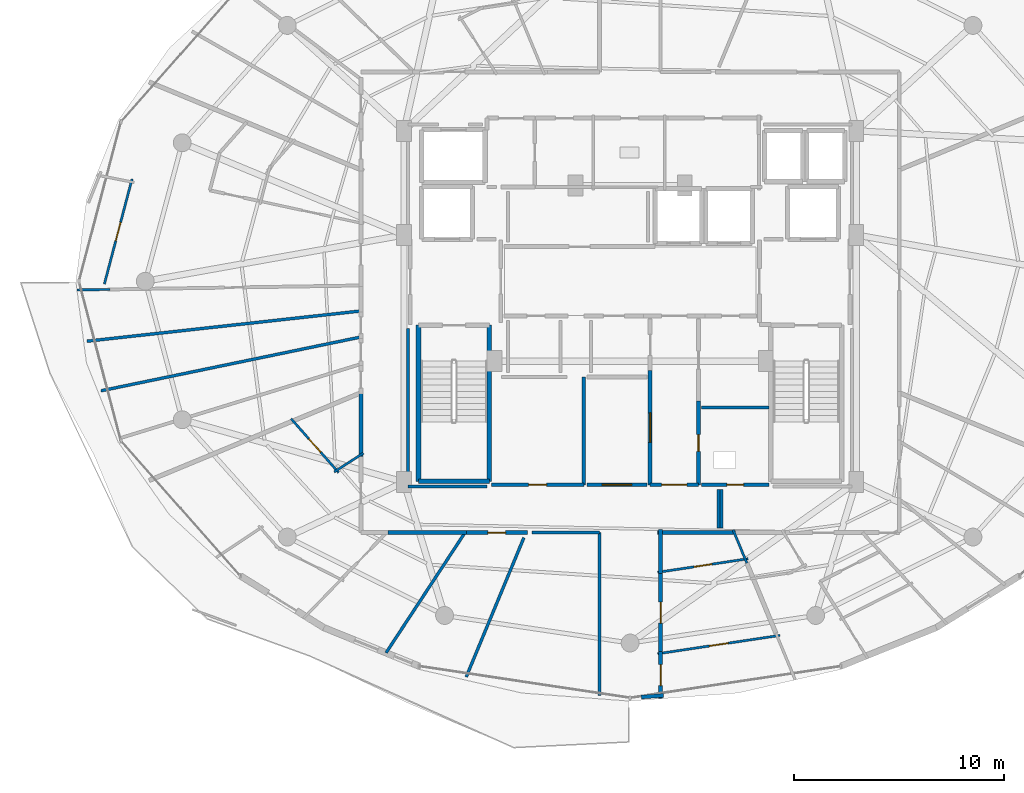
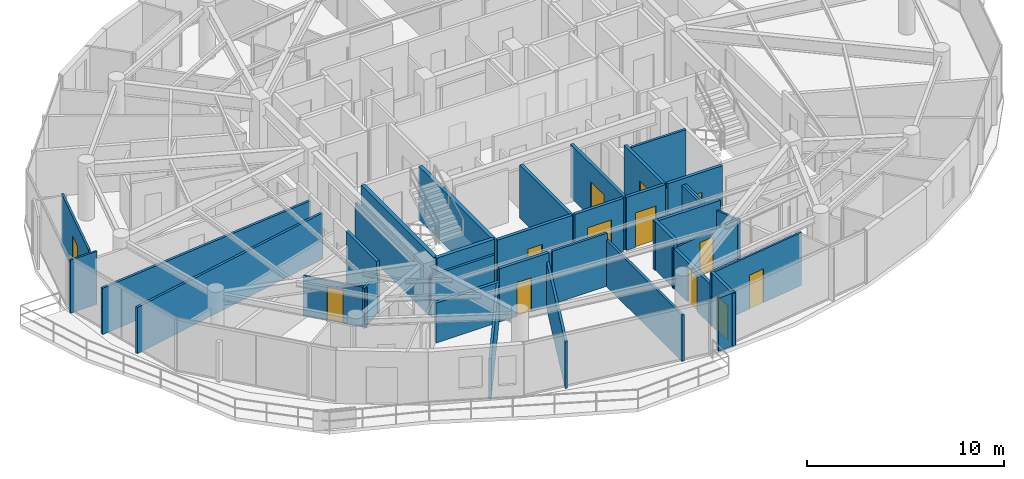
# One storey, part 22 of 30: 36 walls, 13 doors, 13 openings.
"""IFC4 building model written with IfcOpenShell, lengths in metres."""

from ifc_helpers import new_model, si_unit, direction, frame, frame_2d, origin, place, context, subcontext, project, spatial, rectangle, extrude, material, layer, layer_set, type_object, element, fill, save


model = new_model("IFC4")

# Units and contexts
model_context = context("Model", 3, precision=1e-05, world=origin(), true_north=direction((0.0, 1.0)))
body_context = subcontext(model_context, "Body", "Model", "MODEL_VIEW")
ifc_project = project(units=[si_unit("LENGTHUNIT", "METRE"), si_unit("AREAUNIT", "SQUARE_METRE"), si_unit("VOLUMEUNIT", "CUBIC_METRE"), si_unit("PLANEANGLEUNIT", "RADIAN"), si_unit("MASSUNIT", "GRAM", prefix="KILO")], contexts=[model_context])

# Site, building, storey
site_placement = place(None, origin())
site = spatial("IfcSite", under=ifc_project, at=site_placement, CompositionType="ELEMENT")
building_placement = place(site_placement, origin())
building = spatial("IfcBuilding", under=site, at=building_placement, Name="Vorneva Point Tower", CompositionType="ELEMENT")
storey_placement = place(building_placement, frame((0.0, 0.0, 252.0)))
storey = spatial("IfcBuildingStorey", under=building, at=storey_placement, Name="L68", CompositionType="ELEMENT", Elevation=252.0)

# Wall, opening, door
ifc_material_1 = material(Name="Fire-rated acoustic gypsum stud partition", Category="gypsum")
ifc_layer_1 = layer(ifc_material_1, 0.110107421875)
ifc_layer_set_1 = layer_set([ifc_layer_1], Name="Fire-rated acoustic gypsum stud partition")
wall_type_1 = type_object("IfcWallType", Name="WL-PART-110", PredefinedType="PARTITIONING", material=ifc_layer_set_1)
wall_1_placement = place(storey_placement, frame((14.318603515625, 30.8603515625, 0.0), z_axis=(0.0, 0.0, 1.0), x_axis=(-0.254404898477, -0.967097796312, 0.0)))
wall_1 = element("IfcWall", 1, at=wall_1_placement, inside=storey, type_object=wall_type_1, Name="L68 Interior Partition 086", PredefinedType="PARTITIONING", context=body_context, shape_type="SweptSolid", body=[
    extrude(rectangle(XDim=5.165771484375, YDim=0.110107421875, at=frame_2d((2.5830078125, 0.0))), origin(), (0.0, 0.0, 1.0), 3.2900390625),
])
opening_1_placement = place(wall_1_placement, frame((2.1328125, 0.0, 0.0)))
opening_1 = element("IfcOpeningElement", 2, at=opening_1_placement, cuts=wall_1, Name="Opening ID-01", PredefinedType="OPENING", context=body_context, shape_type="SweptSolid", body=[
    extrude(rectangle(XDim=0.89990234375, YDim=2.10009765625, at=frame_2d((0.449951171875, 1.050048828125))), frame((0.0, 0.06982421875, 0.0), z_axis=(0.0, -1.0, 0.0), x_axis=(1.0, 0.0, 0.0)), (0.0, 0.0, 1.0), 0.139892578125),
])
ifc_material_2 = material(Name="Engineered oak fire-rated door leaf", Category="wood")
door_type_1 = type_object("IfcDoorType", Name="DR-ROOM-900", OperationType="NOTDEFINED", PredefinedType="DOOR", material=ifc_material_2)
door_1_placement = place(opening_1_placement, origin())
door_1 = element("IfcDoor", 3, at=door_1_placement, inside=storey, type_object=door_type_1, Name="L68 Door Living and Dining Room L68-02 / Kitchen L68-02", OperationType="SINGLE_SWING_LEFT", OverallHeight=2.10009765625, OverallWidth=0.89990234375, PredefinedType="DOOR", context=body_context, shape_type="SweptSolid", body=[
    extrude(rectangle(XDim=0.89990234375, YDim=2.10009765625, at=frame_2d((0.449951171875, 1.050048828125))), frame((0.0, 0.02490234375, 0.0), z_axis=(0.0, -1.0, 0.0), x_axis=(1.0, 0.0, 0.0)), (0.0, 0.0, 1.0), 0.050048828125),
])
fill(opening_1, door_1)

# Walls
wall_2_placement = place(storey_placement, frame((11.714111328125, 25.5869140625, 0.0), z_axis=(0.0, 0.0, 1.0), x_axis=(0.9998813462, 0.015404334465, 0.0)))
element("IfcWall", 4, at=wall_2_placement, inside=storey, type_object=wall_type_1, Name="L68 Interior Partition 093", PredefinedType="PARTITIONING", context=body_context, shape_type="SweptSolid", body=[
    extrude(rectangle(XDim=1.569091796875, YDim=0.110107421875, at=frame_2d((0.78466796875, 0.0))), origin(), (0.0, 0.0, 1.0), 3.2900390625),
])
wall_3_placement = place(storey_placement, frame((25.317626953125, 17.827880859375, 0.0), z_axis=(0.0, 0.0, 1.0), x_axis=(-0.840783734709, -0.541371140207, 0.0)))
element("IfcWall", 5, at=wall_3_placement, inside=storey, type_object=wall_type_1, Name="L68 Interior Partition 098", PredefinedType="PARTITIONING", context=body_context, shape_type="SweptSolid", body=[
    extrude(rectangle(XDim=1.648681640625, YDim=0.110107421875, at=frame_2d((0.82421875, 0.0))), origin(), (0.0, 0.0, 1.0), 2.48193359375),
])

# Wall, opening, door
wall_4_placement = place(storey_placement, frame((24.1416015625, 16.906005859375, 0.0), z_axis=(0.0, 0.0, 1.0), x_axis=(-0.662044708061, 0.749464345068, 0.0)))
wall_4 = element("IfcWall", 6, at=wall_4_placement, inside=storey, type_object=wall_type_1, Name="L68 Interior Partition 099", PredefinedType="PARTITIONING", context=body_context, shape_type="SweptSolid", body=[
    extrude(rectangle(XDim=3.41552734375, YDim=0.110107421875, at=frame_2d((1.707763671875, 0.0))), origin(), (0.0, 0.0, 1.0), 2.48193359375),
])
opening_2_placement = place(wall_4_placement, frame((1.28271484375, 0.0, 0.0)))
opening_2 = element("IfcOpeningElement", 7, at=opening_2_placement, cuts=wall_4, Name="Opening ID-02", PredefinedType="OPENING", context=body_context, shape_type="SweptSolid", body=[
    extrude(rectangle(XDim=0.85009765625, YDim=2.10009765625, at=frame_2d((0.425048828125, 1.050048828125))), frame((0.0, 0.06982421875, 0.0), z_axis=(0.0, -1.0, 0.0), x_axis=(1.0, 0.0, 0.0)), (0.0, 0.0, 1.0), 0.139892578125),
])
door_type_2 = type_object("IfcDoorType", Name="DR-BATH-850", OperationType="NOTDEFINED", PredefinedType="DOOR", material=ifc_material_2)
door_2_placement = place(opening_2_placement, origin())
door_2 = element("IfcDoor", 8, at=door_2_placement, inside=storey, type_object=door_type_2, Name="L68 Door Living and Dining Room L68-03 / Bathroom L68-03", OperationType="SINGLE_SWING_RIGHT", OverallHeight=2.10009765625, OverallWidth=0.85009765625, PredefinedType="DOOR", context=body_context, shape_type="SweptSolid", body=[
    extrude(rectangle(XDim=0.85009765625, YDim=2.10009765625, at=frame_2d((0.425048828125, 1.050048828125))), frame((0.0, 0.02490234375, 0.0), z_axis=(0.0, -1.0, 0.0), x_axis=(1.0, 0.0, 0.0)), (0.0, 0.0, 1.0), 0.050048828125),
])
fill(opening_2, door_2)

# Wall
wall_5_placement = place(storey_placement, frame((43.549560546875, 12.602783203125, 0.0), z_axis=(0.0, 0.0, 1.0), x_axis=(-0.382735094105, 0.923858131826, 0.0)))
element("IfcWall", 9, at=wall_5_placement, inside=storey, type_object=wall_type_1, Name="L68 Interior Partition 106", PredefinedType="PARTITIONING", context=body_context, shape_type="SweptSolid", body=[
    extrude(rectangle(XDim=1.706298828125, YDim=0.110107421875, at=frame_2d((0.85302734375, 0.0))), origin(), (0.0, 0.0, 1.0), 2.48193359375),
])

# Wall, opening, door
wall_6_placement = place(storey_placement, frame((43.611328125, 12.807861328125, 0.0), z_axis=(0.0, 0.0, 1.0), x_axis=(-0.988876968465, -0.148735810213, 0.0)))
wall_6 = element("IfcWall", 10, at=wall_6_placement, inside=storey, type_object=wall_type_1, Name="L68 Interior Partition 107", PredefinedType="PARTITIONING", context=body_context, shape_type="SweptSolid", body=[
    extrude(rectangle(XDim=4.34814453125, YDim=0.110107421875, at=frame_2d((2.174072265625, 0.0))), origin(), (0.0, 0.0, 1.0), 2.48193359375),
])
opening_3_placement = place(wall_6_placement, frame((1.7490234375, 0.0, 0.0)))
opening_3 = element("IfcOpeningElement", 11, at=opening_3_placement, cuts=wall_6, Name="Opening ID-02", PredefinedType="OPENING", context=body_context, shape_type="SweptSolid", body=[
    extrude(rectangle(XDim=0.85009765625, YDim=2.10009765625, at=frame_2d((0.425048828125, 1.050048828125))), frame((0.0, 0.06982421875, 0.0), z_axis=(0.0, -1.0, 0.0), x_axis=(1.0, 0.0, 0.0)), (0.0, 0.0, 1.0), 0.139892578125),
])
door_3_placement = place(opening_3_placement, origin())
door_3 = element("IfcDoor", 12, at=door_3_placement, inside=storey, type_object=door_type_2, Name="L68 Door Studio Apartment L68-04 / Bathroom L68-04", OperationType="SINGLE_SWING_LEFT", OverallHeight=2.10009765625, OverallWidth=0.85009765625, PredefinedType="DOOR", context=body_context, shape_type="SweptSolid", body=[
    extrude(rectangle(XDim=0.85009765625, YDim=2.10009765625, at=frame_2d((0.425048828125, 1.050048828125))), frame((0.0, 0.02490234375, 0.0), z_axis=(0.0, -1.0, 0.0), x_axis=(1.0, 0.0, 0.0)), (0.0, 0.0, 1.0), 0.050048828125),
])
fill(opening_3, door_3)

wall_7_placement = place(storey_placement, frame((39.3115234375, 8.289306640625, 0.0), z_axis=(0.0, 0.0, 1.0), x_axis=(0.988884781275, 0.1486838571, 0.0)))
wall_7 = element("IfcWall", 13, at=wall_7_placement, inside=storey, type_object=wall_type_1, Name="L68 Interior Partition 109", PredefinedType="PARTITIONING", context=body_context, shape_type="SweptSolid", body=[
    extrude(rectangle(XDim=5.875, YDim=0.110107421875, at=frame_2d((2.9375, 0.0))), origin(), (0.0, 0.0, 1.0), 3.2900390625),
])
opening_4_placement = place(wall_7_placement, frame((2.487548828125, 0.0, 0.0)))
opening_4 = element("IfcOpeningElement", 14, at=opening_4_placement, cuts=wall_7, Name="Opening ID-01", PredefinedType="OPENING", context=body_context, shape_type="SweptSolid", body=[
    extrude(rectangle(XDim=0.89990234375, YDim=2.10009765625, at=frame_2d((0.449951171875, 1.050048828125))), frame((0.0, 0.06982421875, 0.0), z_axis=(0.0, -1.0, 0.0), x_axis=(1.0, 0.0, 0.0)), (0.0, 0.0, 1.0), 0.139892578125),
])
door_4_placement = place(opening_4_placement, origin())
door_4 = element("IfcDoor", 15, at=door_4_placement, inside=storey, type_object=door_type_1, Name="L68 Door Studio Apartment L68-04 / Kitchen L68-04", OperationType="SINGLE_SWING_RIGHT", OverallHeight=2.10009765625, OverallWidth=0.89990234375, PredefinedType="DOOR", context=body_context, shape_type="SweptSolid", body=[
    extrude(rectangle(XDim=0.89990234375, YDim=2.10009765625, at=frame_2d((0.449951171875, 1.050048828125))), frame((0.0, 0.02490234375, 0.0), z_axis=(0.0, -1.0, 0.0), x_axis=(1.0, 0.0, 0.0)), (0.0, 0.0, 1.0), 0.050048828125),
])
fill(opening_4, door_4)

# Walls
ifc_layer_2 = layer(ifc_material_1, 0.139892578125)
ifc_layer_set_2 = layer_set([ifc_layer_2], Name="Fire-rated acoustic gypsum stud partition")
wall_type_2 = type_object("IfcWallType", Name="WL-PART-140", PredefinedType="PARTITIONING", material=ifc_layer_set_2)
wall_8_placement = place(storey_placement, frame((44.60009765625, 20.0, 0.0), z_axis=(0.0, 0.0, 1.0), x_axis=(-1.0, 0.0, 0.0)))
element("IfcWall", 16, at=wall_8_placement, inside=storey, type_object=wall_type_2, Name="L68 Interior Partition 020", PredefinedType="PARTITIONING", context=body_context, shape_type="SweptSolid", body=[
    extrude(rectangle(XDim=3.2001953125, YDim=0.139892578125, at=frame_2d((1.60009765625, 0.0))), origin(), (0.0, 0.0, 1.0), 3.2900390625),
])
wall_9_placement = place(storey_placement, frame((12.172119140625, 23.14892578125, 0.0), z_axis=(0.0, 0.0, 1.0), x_axis=(0.993963433103, 0.109711866515, 0.0)))
element("IfcWall", 17, at=wall_9_placement, inside=storey, type_object=wall_type_2, Name="L68 Interior Partition 094", PredefinedType="PARTITIONING", context=body_context, shape_type="SweptSolid", body=[
    extrude(rectangle(XDim=13.10693359375, YDim=0.139892578125, at=frame_2d((6.553466796875, 0.0))), origin(), (0.0, 0.0, 1.0), 2.8740234375),
])
wall_10_placement = place(storey_placement, frame((12.844970703125, 20.791015625, 0.0), z_axis=(0.0, 0.0, 1.0), x_axis=(0.97923049011, 0.202750208975, 0.0)))
element("IfcWall", 18, at=wall_10_placement, inside=storey, type_object=wall_type_2, Name="L68 Interior Partition 095", PredefinedType="PARTITIONING", context=body_context, shape_type="SweptSolid", body=[
    extrude(rectangle(XDim=12.616943359375, YDim=0.139892578125, at=frame_2d((6.30859375, 0.0))), origin(), (0.0, 0.0, 1.0), 2.8740234375),
])
wall_11_placement = place(storey_placement, frame((26.39697265625, 8.3359375, 0.0), z_axis=(0.0, 0.0, 1.0), x_axis=(0.548967647923, 0.835843598728, 0.0)))
element("IfcWall", 19, at=wall_11_placement, inside=storey, type_object=wall_type_2, Name="L68 Interior Partition 105", PredefinedType="PARTITIONING", context=body_context, shape_type="SweptSolid", body=[
    extrude(rectangle(XDim=6.83642578125, YDim=0.139892578125, at=frame_2d((3.418212890625, 0.0))), origin(), (0.0, 0.0, 1.0), 2.48193359375),
])
wall_12_placement = place(storey_placement, frame((33.330078125, 14.050048828125, 0.0), z_axis=(0.0, 0.0, 1.0), x_axis=(1.0, 0.0, 0.0)))
element("IfcWall", 20, at=wall_12_placement, inside=storey, type_object=wall_type_2, Name="L68 Interior Closure Partition 135", PredefinedType="PARTITIONING", context=body_context, shape_type="SweptSolid", body=[
    extrude(rectangle(XDim=3.219970703125, YDim=0.139892578125, at=frame_2d((1.60986328125, 0.0))), origin(), (0.0, 0.0, 1.0), 3.2900390625),
])
wall_13_placement = place(storey_placement, frame((36.550048828125, 14.050048828125, 0.0), z_axis=(0.0, 0.0, 1.0), x_axis=(0.0, -1.0, 0.0)))
element("IfcWall", 21, at=wall_13_placement, inside=storey, type_object=wall_type_2, Name="L68 Interior Closure Partition 136", PredefinedType="PARTITIONING", context=body_context, shape_type="SweptSolid", body=[
    extrude(rectangle(XDim=7.7509765625, YDim=0.139892578125, at=frame_2d((3.87548828125, 0.0))), origin(), (0.0, 0.0, 1.0), 2.8740234375),
])
wall_14_placement = place(storey_placement, frame((42.340087890625, 14.27001953125, 0.0), z_axis=(0.0, 0.0, 1.0), x_axis=(0.0, 1.0, 0.0)))
element("IfcWall", 22, at=wall_14_placement, inside=storey, type_object=wall_type_2, Name="L68 Interior Closure Partition 139", PredefinedType="PARTITIONING", context=body_context, shape_type="SweptSolid", body=[
    extrude(rectangle(XDim=1.830078125, YDim=0.139892578125, at=frame_2d((0.9150390625, 0.0))), origin(), (0.0, 0.0, 1.0), 3.02197265625),
])
wall_15_placement = place(storey_placement, frame((27.449951171875, 23.75390625, 0.0), z_axis=(0.0, 0.0, 1.0), x_axis=(0.0, -1.0, 0.0)))
element("IfcWall", 23, at=wall_15_placement, inside=storey, type_object=wall_type_2, Name="L68 Interior Closure Partition 147", PredefinedType="PARTITIONING", context=body_context, shape_type="SweptSolid", body=[
    extrude(rectangle(XDim=7.513916015625, YDim=0.139892578125, at=frame_2d((3.7568359375, 0.0))), origin(), (0.0, 0.0, 1.0), 2.48193359375),
])
wall_16_placement = place(storey_placement, frame((27.449951171875, 16.239990234375, 0.0), z_axis=(0.0, 0.0, 1.0), x_axis=(1.0, 0.0, 0.0)))
element("IfcWall", 24, at=wall_16_placement, inside=storey, type_object=wall_type_2, Name="L68 Interior Closure Partition 148", PredefinedType="PARTITIONING", context=body_context, shape_type="SweptSolid", body=[
    extrude(rectangle(XDim=3.7451171875, YDim=0.139892578125, at=frame_2d((1.87255859375, 0.0))), origin(), (0.0, 0.0, 1.0), 2.48193359375),
])
wall_17_placement = place(storey_placement, frame((42.199951171875, 16.10009765625, 0.0), z_axis=(0.0, 0.0, 1.0), x_axis=(0.0, -1.0, 0.0)))
element("IfcWall", 25, at=wall_17_placement, inside=storey, type_object=wall_type_2, Name="L68 Interior Closure Partition 149", PredefinedType="PARTITIONING", context=body_context, shape_type="SweptSolid", body=[
    extrude(rectangle(XDim=1.830078125, YDim=0.139892578125, at=frame_2d((0.9150390625, 0.0))), origin(), (0.0, 0.0, 1.0), 3.02197265625),
])
wall_18_placement = place(storey_placement, frame((30.20703125, 7.18701171875, 0.0), z_axis=(0.0, 0.0, 1.0), x_axis=(0.382679691634, 0.923881081964, 0.0)))
element("IfcWall", 26, at=wall_18_placement, inside=storey, type_object=wall_type_2, Name="L68 Interior Closure Partition 150", PredefinedType="PARTITIONING", context=body_context, shape_type="SweptSolid", body=[
    extrude(rectangle(XDim=7.167724609375, YDim=0.139892578125, at=frame_2d((3.583984375, 0.0))), origin(), (0.0, 0.0, 1.0), 2.8740234375),
])

# Wall, opening, door
ifc_material_3 = material(Name="Autoclaved aerated concrete blockwork", Category="masonry")
ifc_layer_3 = layer(ifc_material_3, 0.179931640625)
ifc_layer_set_3 = layer_set([ifc_layer_3], Name="Autoclaved aerated concrete blockwork")
wall_type_3 = type_object("IfcWallType", Name="WL-PART-180", PredefinedType="PARTITIONING", material=ifc_layer_set_3)
wall_19_placement = place(storey_placement, frame((41.25, 16.320068359375, 0.0), z_axis=(0.0, 0.0, 1.0), x_axis=(0.0, 1.0, 0.0)))
wall_19 = element("IfcWall", 27, at=wall_19_placement, inside=storey, type_object=wall_type_3, Name="L68 Interior Partition 015", PredefinedType="PARTITIONING", context=body_context, shape_type="SweptSolid", body=[
    extrude(rectangle(XDim=3.98486328125, YDim=0.179931640625, at=frame_2d((1.992431640625, 0.0))), origin(), (0.0, 0.0, 1.0), 3.2900390625),
])
opening_5_placement = place(wall_19_placement, frame((1.592529296875, 0.0, 0.0)))
opening_5 = element("IfcOpeningElement", 28, at=opening_5_placement, cuts=wall_19, Name="Opening RD-01", PredefinedType="OPENING", context=body_context, shape_type="SweptSolid", body=[
    extrude(rectangle(XDim=0.800048828125, YDim=2.050048828125, at=frame_2d((0.39990234375, 1.02490234375))), frame((0.0, 0.10498046875, 0.0), z_axis=(0.0, -1.0, 0.0), x_axis=(1.0, 0.0, 0.0)), (0.0, 0.0, 1.0), 0.209716796875),
])
ifc_material_4 = material(Name="Fire-rated powder-coated steel", Category="steel")
door_type_3 = type_object("IfcDoorType", Name="DR-RSR-800", OperationType="SINGLE_SWING_LEFT", PredefinedType="DOOR", material=ifc_material_4)
door_5_placement = place(opening_5_placement, origin())
door_5 = element("IfcDoor", 29, at=door_5_placement, inside=storey, type_object=door_type_3, Name="L68 Door Core Service Lobby / Electrical Riser", OperationType="SINGLE_SWING_RIGHT", OverallHeight=2.050048828125, OverallWidth=0.800048828125, PredefinedType="DOOR", context=body_context, shape_type="SweptSolid", body=[
    extrude(rectangle(XDim=0.800048828125, YDim=2.050048828125, at=frame_2d((0.39990234375, 1.02490234375))), frame((0.0, 0.02490234375, 0.0), z_axis=(0.0, -1.0, 0.0), x_axis=(1.0, 0.0, 0.0)), (0.0, 0.0, 1.0), 0.050048828125),
])
fill(opening_5, door_5)

wall_20_placement = place(storey_placement, frame((38.949951171875, 21.7548828125, 0.0), z_axis=(0.0, 0.0, 1.0), x_axis=(0.0, -1.0, 0.0)))
wall_20 = element("IfcWall", 30, at=wall_20_placement, inside=storey, type_object=wall_type_3, Name="L68 Interior Partition 017", PredefinedType="PARTITIONING", context=body_context, shape_type="SweptSolid", body=[
    extrude(rectangle(XDim=5.434814453125, YDim=0.179931640625, at=frame_2d((2.71728515625, 0.0))), origin(), (0.0, 0.0, 1.0), 3.2900390625),
])
opening_6_placement = place(wall_20_placement, frame((2.017578125, 0.0, 0.0)))
opening_6 = element("IfcOpeningElement", 31, at=opening_6_placement, cuts=wall_20, Name="Opening FD-03", PredefinedType="OPENING", context=body_context, shape_type="SweptSolid", body=[
    extrude(rectangle(XDim=1.39990234375, YDim=2.199951171875, at=frame_2d((0.699951171875, 1.10009765625))), frame((0.0, 0.10498046875, 0.0), z_axis=(0.0, -1.0, 0.0), x_axis=(1.0, 0.0, 0.0)), (0.0, 0.0, 1.0), 0.209716796875),
])
door_type_4 = type_object("IfcDoorType", Name="DR-PLT-1400", OperationType="DOUBLE_SWING_LEFT", PredefinedType="DOOR", material=ifc_material_4)
door_6_placement = place(opening_6_placement, origin())
door_6 = element("IfcDoor", 32, at=door_6_placement, inside=storey, type_object=door_type_4, Name="L68 Door Core Service Lobby / Telecoms and Data Room", OperationType="DOUBLE_SWING_LEFT", OverallHeight=2.199951171875, OverallWidth=1.39990234375, PredefinedType="DOOR", context=body_context, shape_type="SweptSolid", body=[
    extrude(rectangle(XDim=1.39990234375, YDim=2.199951171875, at=frame_2d((0.699951171875, 1.10009765625))), frame((0.0, 0.02490234375, 0.0), z_axis=(0.0, -1.0, 0.0), x_axis=(1.0, 0.0, 0.0)), (0.0, 0.0, 1.0), 0.050048828125),
])
fill(opening_6, door_6)

wall_21_placement = place(storey_placement, frame((38.949951171875, 16.320068359375, 0.0), z_axis=(0.0, 0.0, 1.0), x_axis=(1.0, 0.0, 0.0)))
wall_21 = element("IfcWall", 33, at=wall_21_placement, inside=storey, type_object=wall_type_3, Name="L68 Interior Partition 019", PredefinedType="PARTITIONING", context=body_context, shape_type="SweptSolid", body=[
    extrude(rectangle(XDim=2.300048828125, YDim=0.179931640625, at=frame_2d((1.14990234375, 0.0))), origin(), (0.0, 0.0, 1.0), 3.2900390625),
])
opening_7_placement = place(wall_21_placement, frame((0.550048828125, 0.0, 0.0)))
opening_7 = element("IfcOpeningElement", 34, at=opening_7_placement, cuts=wall_21, Name="Opening FD-02", PredefinedType="OPENING", context=body_context, shape_type="SweptSolid", body=[
    extrude(rectangle(XDim=1.199951171875, YDim=2.14990234375, at=frame_2d((0.60009765625, 1.074951171875))), frame((0.0, 0.10498046875, 0.0), z_axis=(0.0, -1.0, 0.0), x_axis=(1.0, 0.0, 0.0)), (0.0, 0.0, 1.0), 0.209716796875),
])
door_type_5 = type_object("IfcDoorType", Name="DR-FFL-1200", OperationType="NOTDEFINED", PredefinedType="DOOR", material=ifc_material_4)
door_7_placement = place(opening_7_placement, origin())
door_7 = element("IfcDoor", 35, at=door_7_placement, inside=storey, type_object=door_type_5, Name="L68 Door Core Service Lobby / L68 Circulation Corridor", OperationType="SINGLE_SWING_RIGHT", OverallHeight=2.14990234375, OverallWidth=1.199951171875, PredefinedType="DOOR", context=body_context, shape_type="SweptSolid", body=[
    extrude(rectangle(XDim=1.199951171875, YDim=2.14990234375, at=frame_2d((0.60009765625, 1.074951171875))), frame((0.0, 0.02490234375, 0.0), z_axis=(0.0, -1.0, 0.0), x_axis=(1.0, 0.0, 0.0)), (0.0, 0.0, 1.0), 0.050048828125),
])
fill(opening_7, door_7)

wall_22_placement = place(storey_placement, frame((41.39990234375, 16.320068359375, 0.0), z_axis=(0.0, 0.0, 1.0), x_axis=(1.0, 0.0, 0.0)))
wall_22 = element("IfcWall", 36, at=wall_22_placement, inside=storey, type_object=wall_type_3, Name="L68 Interior Partition 021", PredefinedType="PARTITIONING", context=body_context, shape_type="SweptSolid", body=[
    extrude(rectangle(XDim=3.2001953125, YDim=0.179931640625, at=frame_2d((1.60009765625, 0.0))), origin(), (0.0, 0.0, 1.0), 3.2900390625),
])
opening_8_placement = place(wall_22_placement, frame((1.199951171875, 0.0, 0.0)))
opening_8 = element("IfcOpeningElement", 37, at=opening_8_placement, cuts=wall_22, Name="Opening RD-01", PredefinedType="OPENING", context=body_context, shape_type="SweptSolid", body=[
    extrude(rectangle(XDim=0.800048828125, YDim=2.050048828125, at=frame_2d((0.39990234375, 1.02490234375))), frame((0.0, 0.10498046875, 0.0), z_axis=(0.0, -1.0, 0.0), x_axis=(1.0, 0.0, 0.0)), (0.0, 0.0, 1.0), 0.209716796875),
])
door_8_placement = place(opening_8_placement, origin())
door_8 = element("IfcDoor", 38, at=door_8_placement, inside=storey, type_object=door_type_3, Name="L68 Door Electrical Riser / L68 Circulation Corridor", OperationType="SINGLE_SWING_LEFT", OverallHeight=2.050048828125, OverallWidth=0.800048828125, PredefinedType="DOOR", context=body_context, shape_type="SweptSolid", body=[
    extrude(rectangle(XDim=0.800048828125, YDim=2.050048828125, at=frame_2d((0.39990234375, 1.02490234375))), frame((0.0, 0.02490234375, 0.0), z_axis=(0.0, -1.0, 0.0), x_axis=(1.0, 0.0, 0.0)), (0.0, 0.0, 1.0), 0.050048828125),
])
fill(opening_8, door_8)

# Wall
wall_23_placement = place(storey_placement, frame((35.800048828125, 16.320068359375, 0.0), z_axis=(0.0, 0.0, 1.0), x_axis=(0.0, 1.0, 0.0)))
element("IfcWall", 39, at=wall_23_placement, inside=storey, type_object=wall_type_3, Name="L68 Interior Partition 030", PredefinedType="PARTITIONING", context=body_context, shape_type="SweptSolid", body=[
    extrude(rectangle(XDim=5.1298828125, YDim=0.179931640625, at=frame_2d((2.56494140625, 0.0))), origin(), (0.0, 0.0, 1.0), 3.2900390625),
])

# Wall, opening, door
wall_24_placement = place(storey_placement, frame((31.39990234375, 16.320068359375, 0.0), z_axis=(0.0, 0.0, 1.0), x_axis=(1.0, 0.0, 0.0)))
wall_24 = element("IfcWall", 40, at=wall_24_placement, inside=storey, type_object=wall_type_3, Name="L68 Interior Partition 032", PredefinedType="PARTITIONING", context=body_context, shape_type="SweptSolid", body=[
    extrude(rectangle(XDim=4.400146484375, YDim=0.179931640625, at=frame_2d((2.2001953125, 0.0))), origin(), (0.0, 0.0, 1.0), 3.2900390625),
])
opening_9_placement = place(wall_24_placement, frame((1.77490234375, 0.0, 0.0)))
opening_9 = element("IfcOpeningElement", 41, at=opening_9_placement, cuts=wall_24, Name="Opening ID-02", PredefinedType="OPENING", context=body_context, shape_type="SweptSolid", body=[
    extrude(rectangle(XDim=0.85009765625, YDim=2.10009765625, at=frame_2d((0.425048828125, 1.050048828125))), frame((0.0, 0.10498046875, 0.0), z_axis=(0.0, -1.0, 0.0), x_axis=(1.0, 0.0, 0.0)), (0.0, 0.0, 1.0), 0.209716796875),
])
door_9_placement = place(opening_9_placement, origin())
door_9 = element("IfcDoor", 42, at=door_9_placement, inside=storey, type_object=door_type_2, Name="L68 Door Bicycle Gear Store / L68 Circulation Corridor", OperationType="SINGLE_SWING_LEFT", OverallHeight=2.10009765625, OverallWidth=0.85009765625, PredefinedType="DOOR", context=body_context, shape_type="SweptSolid", body=[
    extrude(rectangle(XDim=0.85009765625, YDim=2.10009765625, at=frame_2d((0.425048828125, 1.050048828125))), frame((0.0, 0.02490234375, 0.0), z_axis=(0.0, -1.0, 0.0), x_axis=(1.0, 0.0, 0.0)), (0.0, 0.0, 1.0), 0.050048828125),
])
fill(opening_9, door_9)

wall_25_placement = place(storey_placement, frame((35.949951171875, 16.320068359375, 0.0), z_axis=(0.0, 0.0, 1.0), x_axis=(1.0, 0.0, 0.0)))
wall_25 = element("IfcWall", 43, at=wall_25_placement, inside=storey, type_object=wall_type_3, Name="L68 Interior Partition 034", PredefinedType="PARTITIONING", context=body_context, shape_type="SweptSolid", body=[
    extrude(rectangle(XDim=2.85009765625, YDim=0.179931640625, at=frame_2d((1.425048828125, 0.0))), origin(), (0.0, 0.0, 1.0), 3.2900390625),
])
opening_10_placement = place(wall_25_placement, frame((0.72509765625, 0.0, 0.0)))
opening_10 = element("IfcOpeningElement", 44, at=opening_10_placement, cuts=wall_25, Name="Opening FD-03", PredefinedType="OPENING", context=body_context, shape_type="SweptSolid", body=[
    extrude(rectangle(XDim=1.39990234375, YDim=2.199951171875, at=frame_2d((0.699951171875, 1.10009765625))), frame((0.0, 0.10498046875, 0.0), z_axis=(0.0, -1.0, 0.0), x_axis=(1.0, 0.0, 0.0)), (0.0, 0.0, 1.0), 0.209716796875),
])
door_10_placement = place(opening_10_placement, origin())
door_10 = element("IfcDoor", 45, at=door_10_placement, inside=storey, type_object=door_type_4, Name="L68 Door Telecoms and Data Room / L68 Circulation Corridor", OperationType="DOUBLE_SWING_LEFT", OverallHeight=2.199951171875, OverallWidth=1.39990234375, PredefinedType="DOOR", context=body_context, shape_type="SweptSolid", body=[
    extrude(rectangle(XDim=1.39990234375, YDim=2.199951171875, at=frame_2d((0.699951171875, 1.10009765625))), frame((0.0, 0.02490234375, 0.0), z_axis=(0.0, -1.0, 0.0), x_axis=(1.0, 0.0, 0.0)), (0.0, 0.0, 1.0), 0.050048828125),
])
fill(opening_10, door_10)

# Walls
wall_26_placement = place(storey_placement, frame((25.199951171875, 20.77294921875, 0.0), z_axis=(0.0, 0.0, 1.0), x_axis=(0.0, -1.0, 0.0)))
element("IfcWall", 46, at=wall_26_placement, inside=storey, type_object=wall_type_3, Name="L68 Interior Partition 048", PredefinedType="PARTITIONING", context=body_context, shape_type="SweptSolid", body=[
    extrude(rectangle(XDim=3.100830078125, YDim=0.179931640625, at=frame_2d((1.55029296875, 0.0))), origin(), (0.0, 0.0, 1.0), 3.2900390625),
])
wall_27_placement = place(storey_placement, frame((26.47998046875, 14.050048828125, 0.0), z_axis=(0.0, 0.0, 1.0), x_axis=(1.0, 0.0, 0.0)))
element("IfcWall", 47, at=wall_27_placement, inside=storey, type_object=wall_type_3, Name="L68 Interior Partition 049", PredefinedType="PARTITIONING", context=body_context, shape_type="SweptSolid", body=[
    extrude(rectangle(XDim=3.72998046875, YDim=0.179931640625, at=frame_2d((1.864990234375, 0.0))), origin(), (0.0, 0.0, 1.0), 2.48193359375),
])

# Wall, opening, door
wall_28_placement = place(storey_placement, frame((30.2099609375, 14.050048828125, 0.0), z_axis=(0.0, 0.0, 1.0), x_axis=(1.0, 0.0, 0.0)))
wall_28 = element("IfcWall", 48, at=wall_28_placement, inside=storey, type_object=wall_type_3, Name="L68 Interior Partition 050", PredefinedType="PARTITIONING", context=body_context, shape_type="SweptSolid", body=[
    extrude(rectangle(XDim=2.900146484375, YDim=0.179931640625, at=frame_2d((1.4501953125, 0.0))), origin(), (0.0, 0.0, 1.0), 3.2900390625),
])
opening_11_placement = place(wall_28_placement, frame((1.02490234375, 0.0, 0.0)))
opening_11 = element("IfcOpeningElement", 49, at=opening_11_placement, cuts=wall_28, Name="Opening ID-02", PredefinedType="OPENING", context=body_context, shape_type="SweptSolid", body=[
    extrude(rectangle(XDim=0.85009765625, YDim=2.10009765625, at=frame_2d((0.425048828125, 1.050048828125))), frame((0.0, 0.10498046875, 0.0), z_axis=(0.0, -1.0, 0.0), x_axis=(1.0, 0.0, 0.0)), (0.0, 0.0, 1.0), 0.209716796875),
])
door_11_placement = place(opening_11_placement, origin())
door_11 = element("IfcDoor", 50, at=door_11_placement, inside=storey, type_object=door_type_2, Name="L68 Access Door L68 Circulation Corridor", OperationType="SINGLE_SWING_RIGHT", OverallHeight=2.10009765625, OverallWidth=0.85009765625, PredefinedType="DOOR", context=body_context, shape_type="SweptSolid", body=[
    extrude(rectangle(XDim=0.85009765625, YDim=2.10009765625, at=frame_2d((0.425048828125, 1.050048828125))), frame((0.0, 0.02490234375, 0.0), z_axis=(0.0, -1.0, 0.0), x_axis=(1.0, 0.0, 0.0)), (0.0, 0.0, 1.0), 0.050048828125),
])
fill(opening_11, door_11)

wall_29_placement = place(storey_placement, frame((39.449951171875, 8.25, 0.0), z_axis=(0.0, 0.0, 1.0), x_axis=(0.0, 1.0, 0.0)))
wall_29 = element("IfcWall", 51, at=wall_29_placement, inside=storey, type_object=wall_type_3, Name="L68 Interior Partition 051", PredefinedType="PARTITIONING", context=body_context, shape_type="SweptSolid", body=[
    extrude(rectangle(XDim=3.992919921875, YDim=0.179931640625, at=frame_2d((1.99658203125, 0.0))), origin(), (0.0, 0.0, 1.0), 2.48193359375),
])
opening_12_placement = place(wall_29_placement, frame((1.49658203125, 0.0, 0.0)))
opening_12 = element("IfcOpeningElement", 52, at=opening_12_placement, cuts=wall_29, Name="Opening UD-01", PredefinedType="OPENING", context=body_context, shape_type="SweptSolid", body=[
    extrude(rectangle(XDim=1.0, YDim=2.14990234375, at=frame_2d((0.5, 1.074951171875))), frame((0.0, 0.10498046875, 0.0), z_axis=(0.0, -1.0, 0.0), x_axis=(1.0, 0.0, 0.0)), (0.0, 0.0, 1.0), 0.209716796875),
])
door_type_6 = type_object("IfcDoorType", Name="DR-UNIT-1000", OperationType="NOTDEFINED", PredefinedType="DOOR", material=ifc_material_2)
door_12_placement = place(opening_12_placement, origin())
door_12 = element("IfcDoor", 53, at=door_12_placement, inside=storey, type_object=door_type_6, Name="L68 Door L68 Circulation Corridor / Studio Apartment L68-04", OperationType="SINGLE_SWING_RIGHT", OverallHeight=2.14990234375, OverallWidth=1.0, PredefinedType="DOOR", context=body_context, shape_type="SweptSolid", body=[
    extrude(rectangle(XDim=1.0, YDim=2.14990234375, at=frame_2d((0.5, 1.074951171875))), frame((0.0, 0.02490234375, 0.0), z_axis=(0.0, -1.0, 0.0), x_axis=(1.0, 0.0, 0.0)), (0.0, 0.0, 1.0), 0.050048828125),
])
fill(opening_12, door_12)

# Walls
wall_30_placement = place(storey_placement, frame((39.449951171875, 12.10302734375, 0.0), z_axis=(0.0, 0.0, 1.0), x_axis=(0.0, 1.0, 0.0)))
element("IfcWall", 54, at=wall_30_placement, inside=storey, type_object=wall_type_3, Name="L68 Interior Partition 052", PredefinedType="PARTITIONING", context=body_context, shape_type="SweptSolid", body=[
    extrude(rectangle(XDim=2.0869140625, YDim=0.179931640625, at=frame_2d((1.04345703125, 0.0))), origin(), (0.0, 0.0, 1.0), 3.02197265625),
])
wall_31_placement = place(storey_placement, frame((39.31005859375, 14.050048828125, 0.0), z_axis=(0.0, 0.0, 1.0), x_axis=(1.0, 0.0, 0.0)))
element("IfcWall", 55, at=wall_31_placement, inside=storey, type_object=wall_type_3, Name="L68 Interior Partition 053", PredefinedType="PARTITIONING", context=body_context, shape_type="SweptSolid", body=[
    extrude(rectangle(XDim=3.844970703125, YDim=0.179931640625, at=frame_2d((1.92236328125, 0.0))), origin(), (0.0, 0.0, 1.0), 3.02197265625),
])
wall_32_placement = place(storey_placement, frame((38.531494140625, 6.2294921875, 0.0), z_axis=(0.0, 0.0, 1.0), x_axis=(0.997148461952, 0.075464858219, 0.0)))
element("IfcWall", 56, at=wall_32_placement, inside=storey, type_object=wall_type_3, Name="L68 Interior Partition 054", PredefinedType="PARTITIONING", context=body_context, shape_type="SweptSolid", body=[
    extrude(rectangle(XDim=1.06103515625, YDim=0.179931640625, at=frame_2d((0.530517578125, 0.0))), origin(), (0.0, 0.0, 1.0), 3.2900390625),
])

# Wall, opening, door
wall_33_placement = place(storey_placement, frame((39.449951171875, 6.158935546875, 0.0), z_axis=(0.0, 0.0, 1.0), x_axis=(0.0, 1.0, 0.0)))
wall_33 = element("IfcWall", 57, at=wall_33_placement, inside=storey, type_object=wall_type_3, Name="L68 Interior Partition 055", PredefinedType="PARTITIONING", context=body_context, shape_type="SweptSolid", body=[
    extrude(rectangle(XDim=2.23095703125, YDim=0.179931640625, at=frame_2d((1.115478515625, 0.0))), origin(), (0.0, 0.0, 1.0), 3.2900390625),
])
opening_13_placement = place(wall_33_placement, frame((0.615478515625, 0.0, 0.0)))
opening_13 = element("IfcOpeningElement", 58, at=opening_13_placement, cuts=wall_33, Name="Opening UD-01", PredefinedType="OPENING", context=body_context, shape_type="SweptSolid", body=[
    extrude(rectangle(XDim=1.0, YDim=2.14990234375, at=frame_2d((0.5, 1.074951171875))), frame((0.0, 0.10498046875, 0.0), z_axis=(0.0, -1.0, 0.0), x_axis=(1.0, 0.0, 0.0)), (0.0, 0.0, 1.0), 0.209716796875),
])
door_13_placement = place(opening_13_placement, origin())
door_13 = element("IfcDoor", 59, at=door_13_placement, inside=storey, type_object=door_type_6, Name="L68 Door L68 Circulation Corridor / Kitchen L68-04", OperationType="SINGLE_SWING_LEFT", OverallHeight=2.14990234375, OverallWidth=1.0, PredefinedType="DOOR", context=body_context, shape_type="SweptSolid", body=[
    extrude(rectangle(XDim=1.0, YDim=2.14990234375, at=frame_2d((0.5, 1.074951171875))), frame((0.0, 0.02490234375, 0.0), z_axis=(0.0, -1.0, 0.0), x_axis=(1.0, 0.0, 0.0)), (0.0, 0.0, 1.0), 0.050048828125),
])
fill(opening_13, door_13)

# Walls
ifc_material_5 = material(Name="Concrete B50 (C40/50)", Category="concrete")
ifc_layer_4 = layer(ifc_material_5, 0.219970703125)
ifc_layer_set_4 = layer_set([ifc_layer_4], Name="Concrete B50 (C40/50)")
wall_type_4 = type_object("IfcWallType", Name="WL-SHFT-220", PredefinedType="SOLIDWALL", material=ifc_layer_set_4)
wall_34_placement = place(storey_placement, frame((31.31005859375, 23.909912109375, 0.0), z_axis=(0.0, 0.0, 1.0), x_axis=(0.0, -1.0, 0.0)))
element("IfcWall", 60, at=wall_34_placement, inside=storey, type_object=wall_type_4, Name="L68 Exit Stair ST1 Shaft Wall right", PredefinedType="SOLIDWALL", context=body_context, shape_type="SweptSolid", body=[
    extrude(rectangle(XDim=7.419921875, YDim=0.219970703125, at=frame_2d((3.7099609375, 0.0))), origin(), (0.0, 0.0, 1.0), 3.2900390625),
])
wall_35_placement = place(storey_placement, frame((31.31005859375, 16.489990234375, 0.0), z_axis=(0.0, 0.0, 1.0), x_axis=(-1.0, 0.0, 0.0)))
element("IfcWall", 61, at=wall_35_placement, inside=storey, type_object=wall_type_4, Name="L68 Exit Stair ST1 Shaft Wall far", PredefinedType="SOLIDWALL", context=body_context, shape_type="SweptSolid", body=[
    extrude(rectangle(XDim=3.3701171875, YDim=0.219970703125, at=frame_2d((1.68505859375, 0.0))), origin(), (0.0, 0.0, 1.0), 3.2900390625),
])
wall_36_placement = place(storey_placement, frame((27.93994140625, 16.489990234375, 0.0), z_axis=(0.0, 0.0, 1.0), x_axis=(0.0, 1.0, 0.0)))
element("IfcWall", 62, at=wall_36_placement, inside=storey, type_object=wall_type_4, Name="L68 Exit Stair ST1 Shaft Wall left", PredefinedType="SOLIDWALL", context=body_context, shape_type="SweptSolid", body=[
    extrude(rectangle(XDim=7.419921875, YDim=0.219970703125, at=frame_2d((3.7099609375, 0.0))), origin(), (0.0, 0.0, 1.0), 3.2900390625),
])

save(model, "model.ifc")
